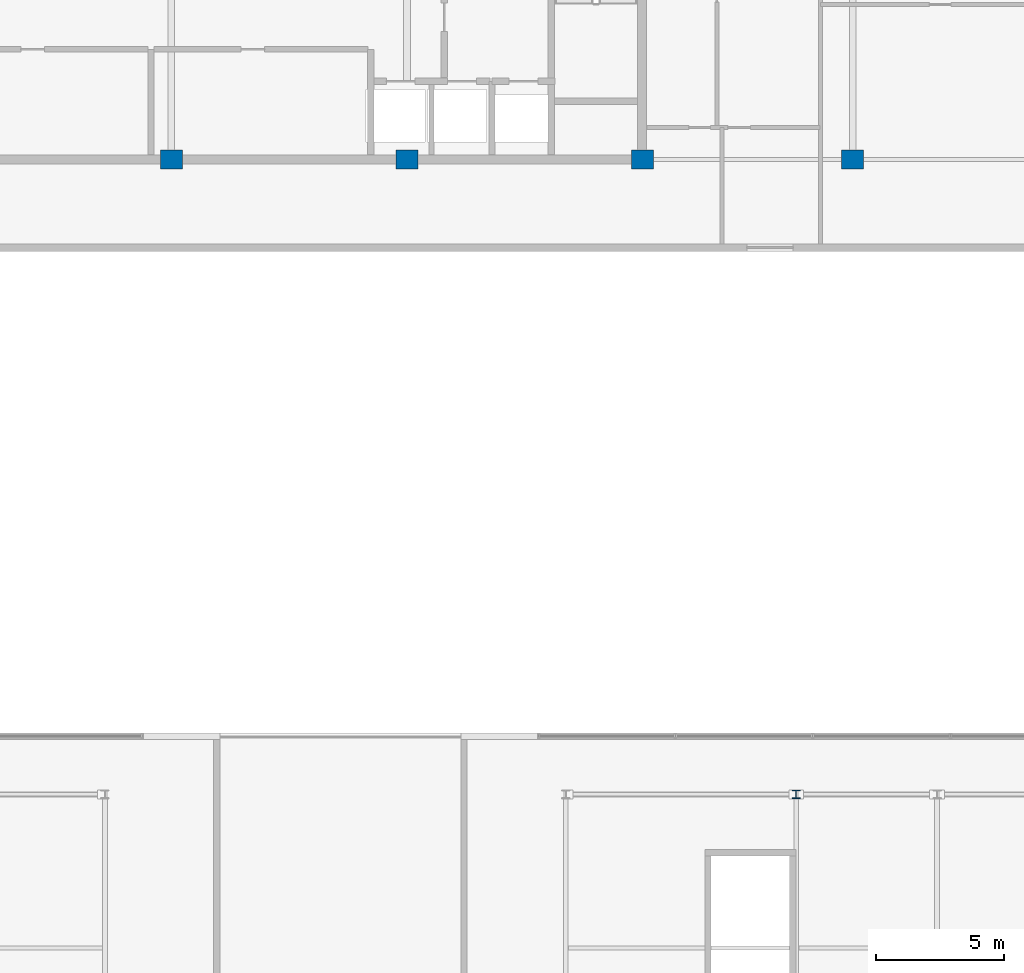
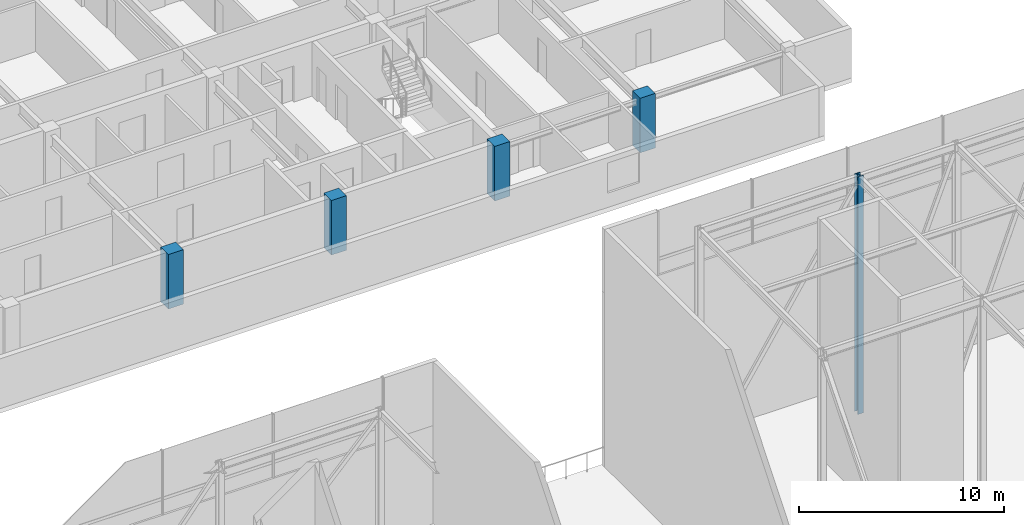
# One storey, part 3 of 42: 5 columns.
"""IFC4 building model written with IfcOpenShell, lengths in metres."""

from ifc_helpers import new_model, si_unit, direction, frame, origin, origin_2d, place, context, subcontext, project, spatial, rectangle, i_section, extrude, material, material_profile, profile_set, type_object, element, save


model = new_model("IFC4")

# Units and contexts
model_context = context("Model", 3, precision=1e-05, world=origin(), true_north=direction((0.0, 1.0)))
body_context = subcontext(model_context, "Body", "Model", "MODEL_VIEW")
ifc_project = project(units=[si_unit("LENGTHUNIT", "METRE"), si_unit("AREAUNIT", "SQUARE_METRE"), si_unit("VOLUMEUNIT", "CUBIC_METRE"), si_unit("PLANEANGLEUNIT", "RADIAN"), si_unit("MASSUNIT", "GRAM", prefix="KILO")], contexts=[model_context])

# Site, building, storey
site_placement = place(None, origin())
site = spatial("IfcSite", under=ifc_project, at=site_placement, CompositionType="ELEMENT")
building_placement = place(site_placement, origin())
building = spatial("IfcBuilding", under=site, at=building_placement, Name="Korimba Cascade Residences", CompositionType="ELEMENT")
storey_placement = place(building_placement, frame((0.0, 0.0, 207.60009765625)))
storey = spatial("IfcBuildingStorey", under=building, at=storey_placement, Name="L60", CompositionType="ELEMENT", Elevation=207.60009765625)

# Columns
ifc_material_1 = material(Name="Concrete C65/80", Category="concrete")
ifc_material_profile_1 = material_profile(ifc_material_1, rectangle(XDim=0.85009765625, YDim=0.75, at=origin_2d()), Name="Concrete C65/80")
ifc_profile_set_1 = profile_set([ifc_material_profile_1], Name="Concrete C65/80")
column_type_1 = type_object("IfcColumnType", Name="COL-RC-850", PredefinedType="COLUMN", material=ifc_profile_set_1)
for number, where, z_axis, x_axis, name in (
    (1, (93.699951171875, 55.199951171875, 0.0), (0.0, 0.0, 1.0), (1.0, 0.0, 0.0), "L60 Tower 1 Column 5.1"),
    (2, (102.89990234375, 55.199951171875, 0.0), (0.0, 0.0, 1.0), (1.0, 0.0, 0.0), "L60 Tower 1 Column 6.1"),
    (3, (112.10009765625, 55.199951171875, 0.0), (0.0, 0.0, 1.0), (1.0, 0.0, 0.0), "L60 Tower 1 Column 7.1"),
    (4, (120.300048828125, 55.199951171875, 0.0), (0.0, 0.0, 1.0), (1.0, 0.0, 0.0), "L60 Tower 1 Column 8.1"),
):
    element("IfcColumn", number, at=place(storey_placement, frame(where, z_axis=z_axis, x_axis=x_axis)), inside=storey, type_object=column_type_1, Name=name, PredefinedType="COLUMN", context=body_context, shape_type="SweptSolid", body=[
        extrude(rectangle(XDim=0.85009765625, YDim=0.75, at=origin_2d()), origin(), (0.0, 0.0, 1.0), 3.25),
    ])
ifc_material_2 = material(Name="Steel S355", Category="steel")
ifc_material_profile_2 = material_profile(ifc_material_2, i_section(OverallWidth=0.314453125, OverallDepth=0.33984375, WebThickness=0.01904296875, FlangeThickness=0.031494140625, FilletRadius=0.01513671875, at=origin_2d()), Name="Steel S355")
ifc_profile_set_2 = profile_set([ifc_material_profile_2], Name="Steel S355")
column_type_2 = type_object("IfcColumnType", Name="COL-STL-UC198", PredefinedType="COLUMN", material=ifc_profile_set_2)
column_placement = place(storey_placement, frame((118.10009765625, 30.39990234375, 0.0), z_axis=(0.0, 0.0, 1.0), x_axis=(1.0, 0.0, 0.0)))
element("IfcColumn", 5, at=column_placement, inside=storey, type_object=column_type_2, Name="L60 Split-Top Crown Frame Post E2.4", PredefinedType="COLUMN", context=body_context, shape_type="SweptSolid", body=[
    extrude(i_section(OverallWidth=0.314453125, OverallDepth=0.33984375, WebThickness=0.01904296875, FlangeThickness=0.031494140625, FilletRadius=0.01513671875, at=origin_2d()), origin(), (0.0, 0.0, 1.0), 14.14990234375),
])

save(model, "model.ifc")
